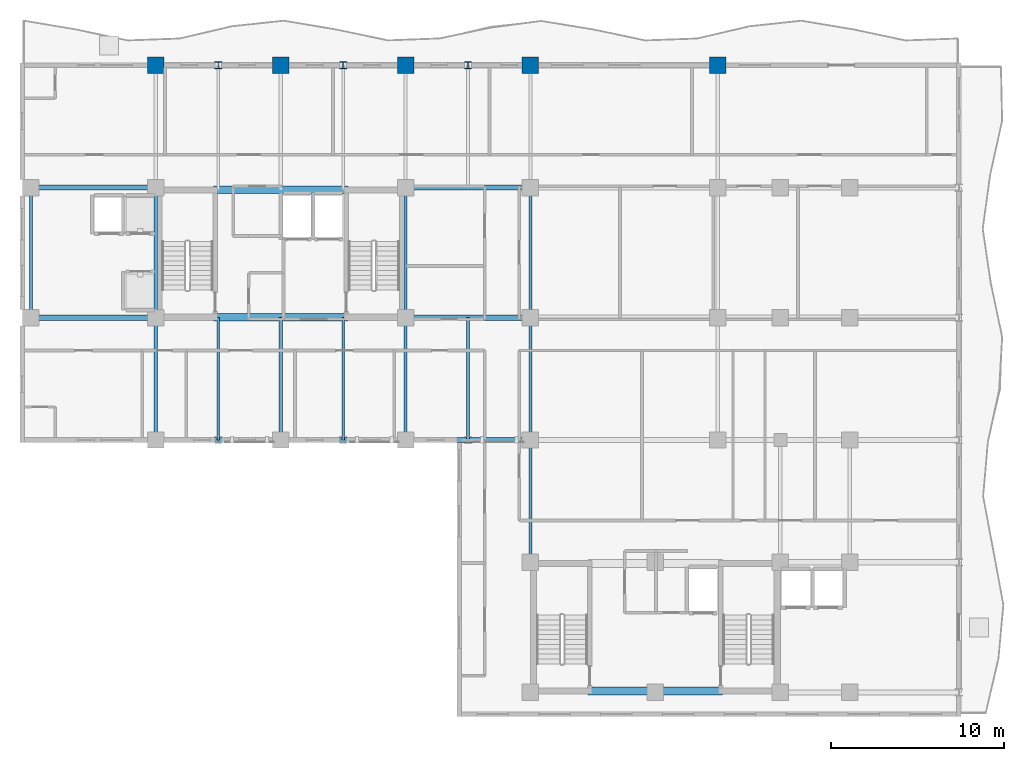
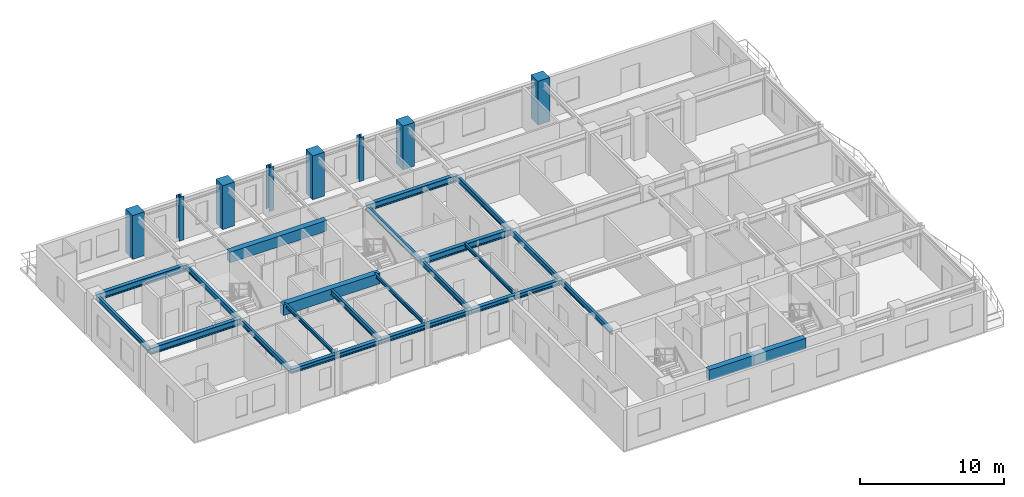
# One storey, part 3 of 14: 25 beams, 8 columns.
"""IFC4 building model written with IfcOpenShell, lengths in metres."""

from ifc_helpers import new_model, si_unit, direction, frame, origin, origin_2d, place, context, subcontext, project, spatial, rectangle, i_section, extrude, source, transform, mapped, material, material_profile, profile_set, type_object, element, save


model = new_model("IFC4")

# Units and contexts
model_context = context("Model", 3, precision=1e-05, world=origin(), true_north=direction((0.0, 1.0)))
body_context = subcontext(model_context, "Body", "Model", "MODEL_VIEW")
ifc_project = project(units=[si_unit("LENGTHUNIT", "METRE"), si_unit("AREAUNIT", "SQUARE_METRE"), si_unit("VOLUMEUNIT", "CUBIC_METRE"), si_unit("PLANEANGLEUNIT", "RADIAN"), si_unit("MASSUNIT", "GRAM", prefix="KILO")], contexts=[model_context])

# Site, building, storey
site_placement = place(None, origin())
site = spatial("IfcSite", under=ifc_project, at=site_placement, CompositionType="ELEMENT")
building_placement = place(site_placement, origin())
building = spatial("IfcBuilding", under=site, at=building_placement, Name="Kaliganga Portal Commons", CompositionType="ELEMENT")
storey_placement = place(building_placement, frame((0.0, 0.0, 220.300048828125)))
storey = spatial("IfcBuildingStorey", under=building, at=storey_placement, Name="L56", CompositionType="ELEMENT", Elevation=220.300048828125)

# Columns
ifc_material_1 = material(Name="Concrete C50/60", Category="concrete")
ifc_material_profile_1 = material_profile(ifc_material_1, rectangle(XDim=0.949951171875, YDim=0.949951171875, at=origin_2d()), Name="RC 950x950")
ifc_profile_set_1 = profile_set([ifc_material_profile_1], Name="Concrete C50/60")
column_type_1 = type_object("IfcColumnType", Name="COL-MEGA-Z4", PredefinedType="COLUMN", material=ifc_profile_set_1)
shared_shape_1 = source(origin(), body_context, "Body", "SweptSolid", [
    extrude(rectangle(XDim=0.949951171875, YDim=0.949951171875, at=origin_2d()), origin(), (0.0, 0.0, 1.0), 3.699951171875),
])
for number, where, z_axis, x_axis, name in (
    (1, (14.39990234375, 43.199951171875, 0.0), (0.0, 0.0, 1.0), (1.0, 0.0, 0.0), "Column MC-05 L56"),
    (2, (21.60009765625, 43.199951171875, 0.0), (0.0, 0.0, 1.0), (1.0, 0.0, 0.0), "Column MC-05 L56"),
    (3, (28.800048828125, 43.199951171875, 0.0), (0.0, 0.0, 1.0), (1.0, 0.0, 0.0), "Column MC-05 L56"),
    (4, (36.0, 43.199951171875, 0.0), (0.0, 0.0, 1.0), (1.0, 0.0, 0.0), "Column MC-05 L56"),
    (5, (46.800048828125, 43.199951171875, 0.0), (0.0, 0.0, 1.0), (1.0, 0.0, 0.0), "Column MC-05 L56"),
):
    element("IfcColumn", number, at=place(storey_placement, frame(where, z_axis=z_axis, x_axis=x_axis)), inside=storey, type_object=column_type_1, Name=name, PredefinedType="COLUMN", context=body_context, shape_type="MappedRepresentation", body=[
        mapped(shared_shape_1, transform((0.0, 0.0, 0.0), x_axis=(1.0, 0.0, 0.0), y_axis=(0.0, 1.0, 0.0), z_axis=(0.0, 0.0, 1.0), scale=1.0)),
    ])
ifc_material_2 = material(Name="Structural steel S355J2", Category="steel")
ifc_material_profile_2 = material_profile(ifc_material_2, i_section(OverallWidth=0.39892578125, OverallDepth=0.39990234375, WebThickness=0.017333984375, FlangeThickness=0.0234375, FilletRadius=0.014892578125, at=origin_2d()), Name="HD 400x287")
ifc_profile_set_2 = profile_set([ifc_material_profile_2], Name="Structural steel S355J2 wide-flange")
column_type_2 = type_object("IfcColumnType", Name="COL-TUBE-B4", PredefinedType="COLUMN", material=ifc_profile_set_2)
shared_shape_2 = source(origin(), body_context, "Body", "SweptSolid", [
    extrude(i_section(OverallWidth=0.39892578125, OverallDepth=0.39990234375, WebThickness=0.017333984375, FlangeThickness=0.0234375, FilletRadius=0.014892578125, at=origin_2d()), origin(), (0.0, 0.0, 1.0), 3.699951171875),
])
for number, where, z_axis, x_axis, name in (
    (6, (18.0, 43.199951171875, 0.0), (0.0, 0.0, 1.0), (1.0, 0.0, 0.0), "Column TC-04 L56"),
    (7, (25.199951171875, 43.199951171875, 0.0), (0.0, 0.0, 1.0), (1.0, 0.0, 0.0), "Column TC-04 L56"),
    (8, (32.39990234375, 43.199951171875, 0.0), (0.0, 0.0, 1.0), (1.0, 0.0, 0.0), "Column TC-04 L56"),
):
    element("IfcColumn", number, at=place(storey_placement, frame(where, z_axis=z_axis, x_axis=x_axis)), inside=storey, type_object=column_type_2, Name=name, PredefinedType="COLUMN", context=body_context, shape_type="MappedRepresentation", body=[
        mapped(shared_shape_2, transform((0.0, 0.0, 0.0), x_axis=(1.0, 0.0, 0.0), y_axis=(0.0, 1.0, 0.0), z_axis=(0.0, 0.0, 1.0), scale=1.0)),
    ])

# Beams
ifc_material_profile_3 = material_profile(ifc_material_1, rectangle(XDim=0.449951171875, YDim=0.89990234375, at=origin_2d()), Name="RC 450x900")
ifc_profile_set_3 = profile_set([ifc_material_profile_3], Name="Concrete C50/60")
beam_type_1 = type_object("IfcBeamType", Name="BM-CPL-900", PredefinedType="LINTEL", material=ifc_profile_set_3)
shared_shape_3 = source(origin(), body_context, "Body", "SweptSolid", [
    extrude(rectangle(XDim=0.449951171875, YDim=0.89990234375, at=origin_2d()), origin(), (0.0, 0.0, 1.0), 7.739990234375),
])
for number, where, z_axis, x_axis, name in (
    (9, (17.72998046875, 28.675048828125, 3.02001953125), (1.0, 0.0, 0.0), (0.0, 1.0, 0.0), "BM CPL COREA L56 S"),
    (10, (17.72998046875, 36.02490234375, 3.02001953125), (1.0, 0.0, 0.0), (0.0, 1.0, 0.0), "BM CPL COREA L56 N"),
    (11, (39.330078125, 7.125, 3.02001953125), (1.0, 0.0, 0.0), (0.0, 1.0, 0.0), "BM CPL COREB L56 S"),
):
    element("IfcBeam", number, at=place(storey_placement, frame(where, z_axis=z_axis, x_axis=x_axis)), inside=storey, type_object=beam_type_1, Name=name, PredefinedType="LINTEL", context=body_context, shape_type="MappedRepresentation", body=[
        mapped(shared_shape_3, transform((0.0, 0.0, 0.0), x_axis=(1.0, 0.0, 0.0), y_axis=(0.0, 1.0, 0.0), z_axis=(0.0, 0.0, 1.0), scale=1.0)),
    ])
ifc_material_profile_4 = material_profile(ifc_material_2, i_section(OverallWidth=0.18994140625, OverallDepth=0.449951171875, WebThickness=0.009521484375, FlangeThickness=0.0146484375, FilletRadius=0.02099609375, at=origin_2d()), Name="IPE 450")
ifc_profile_set_4 = profile_set([ifc_material_profile_4], Name="Structural steel S355J2 wide-flange")
beam_type_2 = type_object("IfcBeamType", Name="BM-FLR-450", PredefinedType="BEAM", material=ifc_profile_set_4)
shared_shape_4 = source(origin(), body_context, "Body", "SweptSolid", [
    extrude(i_section(OverallWidth=0.18994140625, OverallDepth=0.449951171875, WebThickness=0.009521484375, FlangeThickness=0.0146484375, FilletRadius=0.02099609375, at=origin_2d()), origin(), (0.0, 0.0, 1.0), 7.5),
])
for number, where, z_axis, x_axis, name in (
    (12, (7.199951171875, 28.64990234375, 3.244873046875), (0.0, 1.0, 0.0), (-1.0, 0.0, 0.0), "BM G L56 AW72"),
    (13, (14.39990234375, 28.64990234375, 3.244873046875), (0.0, 1.0, 0.0), (-1.0, 0.0, 0.0), "BM G L56 AM144"),
    (14, (28.800048828125, 28.64990234375, 3.244873046875), (0.0, 1.0, 0.0), (-1.0, 0.0, 0.0), "BM G L56 AM288"),
    (15, (36.0, 28.64990234375, 3.244873046875), (0.0, 1.0, 0.0), (-1.0, 0.0, 0.0), "BM G L56 AM360"),
):
    element("IfcBeam", number, at=place(storey_placement, frame(where, z_axis=z_axis, x_axis=x_axis)), inside=storey, type_object=beam_type_2, Name=name, PredefinedType="BEAM", context=body_context, shape_type="MappedRepresentation", body=[
        mapped(shared_shape_4, transform((0.0, 0.0, 0.0), x_axis=(1.0, 0.0, 0.0), y_axis=(0.0, 1.0, 0.0), z_axis=(0.0, 0.0, 1.0), scale=1.0)),
    ])
shared_shape_5 = source(origin(), body_context, "Body", "SweptSolid", [
    extrude(i_section(OverallWidth=0.18994140625, OverallDepth=0.449951171875, WebThickness=0.009521484375, FlangeThickness=0.0146484375, FilletRadius=0.02099609375, at=origin_2d()), origin(), (0.0, 0.0, 1.0), 7.050048828125),
])
beam_1_placement = place(storey_placement, frame((36.0, 14.550048828125, 3.244873046875), z_axis=(0.0, 1.0, 0.0), x_axis=(-1.0, 0.0, 0.0)))
element("IfcBeam", 16, at=beam_1_placement, inside=storey, type_object=beam_type_2, Name="BM G L56 BNK360", PredefinedType="BEAM", context=body_context, shape_type="MappedRepresentation", body=[
    mapped(shared_shape_5, transform((0.0, 0.0, 0.0), x_axis=(1.0, 0.0, 0.0), y_axis=(0.0, 1.0, 0.0), z_axis=(0.0, 0.0, 1.0), scale=1.0)),
])
shared_shape_6 = source(origin(), body_context, "Body", "SweptSolid", [
    extrude(i_section(OverallWidth=0.18994140625, OverallDepth=0.449951171875, WebThickness=0.009521484375, FlangeThickness=0.0146484375, FilletRadius=0.02099609375, at=origin_2d()), origin(), (0.0, 0.0, 1.0), 7.0498046875),
])
for number, where, z_axis, x_axis, name in (
    (17, (14.39990234375, 21.60009765625, 3.244873046875), (0.0, 1.0, 0.0), (-1.0, 0.0, 0.0), "BM G L56 AS144"),
    (18, (28.800048828125, 21.60009765625, 3.244873046875), (0.0, 1.0, 0.0), (-1.0, 0.0, 0.0), "BM G L56 AS288"),
    (19, (36.0, 21.60009765625, 3.244873046875), (0.0, 1.0, 0.0), (-1.0, 0.0, 0.0), "BM G L56 AS360"),
):
    element("IfcBeam", number, at=place(storey_placement, frame(where, z_axis=z_axis, x_axis=x_axis)), inside=storey, type_object=beam_type_2, Name=name, PredefinedType="BEAM", context=body_context, shape_type="MappedRepresentation", body=[
        mapped(shared_shape_6, transform((0.0, 0.0, 0.0), x_axis=(1.0, 0.0, 0.0), y_axis=(0.0, 1.0, 0.0), z_axis=(0.0, 0.0, 1.0), scale=1.0)),
    ])
ifc_material_profile_5 = material_profile(ifc_material_2, i_section(OverallWidth=0.14990234375, OverallDepth=0.300048828125, WebThickness=0.007080078125, FlangeThickness=0.0107421875, FilletRadius=0.014892578125, at=origin_2d()), Name="IPE 300")
ifc_profile_set_5 = profile_set([ifc_material_profile_5], Name="Structural steel S355J2 wide-flange")
beam_type_3 = type_object("IfcBeamType", Name="BM-JST-300", PredefinedType="JOIST", material=ifc_profile_set_5)
shared_shape_7 = source(origin(), body_context, "Body", "SweptSolid", [
    extrude(i_section(OverallWidth=0.14990234375, OverallDepth=0.300048828125, WebThickness=0.007080078125, FlangeThickness=0.0107421875, FilletRadius=0.014892578125, at=origin_2d()), origin(), (0.0, 0.0, 1.0), 7.0498046875),
])
beam_2_placement = place(storey_placement, frame((32.39990234375, 21.60009765625, 3.320068359375), z_axis=(0.0, 1.0, 0.0), x_axis=(-1.0, 0.0, 0.0)))
element("IfcBeam", 20, at=beam_2_placement, inside=storey, type_object=beam_type_3, Name="BM G L56 AS324", PredefinedType="JOIST", context=body_context, shape_type="MappedRepresentation", body=[
    mapped(shared_shape_7, transform((0.0, 0.0, 0.0), x_axis=(1.0, 0.0, 0.0), y_axis=(0.0, 1.0, 0.0), z_axis=(0.0, 0.0, 1.0), scale=1.0)),
])
ifc_material_profile_6 = material_profile(ifc_material_2, i_section(OverallWidth=0.300048828125, OverallDepth=0.39990234375, WebThickness=0.013427734375, FlangeThickness=0.02392578125, FilletRadius=0.027099609375, at=origin_2d()), Name="HE 400 B")
ifc_profile_set_6 = profile_set([ifc_material_profile_6], Name="Structural steel S355J2 wide-flange")
beam_type_4 = type_object("IfcBeamType", Name="BM-SPAND-400", PredefinedType="SPANDREL", material=ifc_profile_set_6)
shared_shape_8 = source(origin(), body_context, "Body", "SweptSolid", [
    extrude(i_section(OverallWidth=0.300048828125, OverallDepth=0.39990234375, WebThickness=0.013427734375, FlangeThickness=0.02392578125, FilletRadius=0.027099609375, at=origin_2d()), origin(), (0.0, 0.0, 1.0), 3.60009765625),
])
for number, where, z_axis, x_axis, name in (
    (21, (14.39990234375, 21.60009765625, 3.27001953125), (1.0, 0.0, 0.0), (0.0, 1.0, 0.0), "BM SP L56 AS 1"),
    (22, (18.0, 21.60009765625, 3.27001953125), (1.0, 0.0, 0.0), (0.0, 1.0, 0.0), "BM SP L56 AS 2"),
    (23, (25.199951171875, 21.60009765625, 3.27001953125), (1.0, 0.0, 0.0), (0.0, 1.0, 0.0), "BM SP L56 AS 4"),
    (24, (32.39990234375, 21.60009765625, 3.27001953125), (1.0, 0.0, 0.0), (0.0, 1.0, 0.0), "BM SP L56 AS 6"),
):
    element("IfcBeam", number, at=place(storey_placement, frame(where, z_axis=z_axis, x_axis=x_axis)), inside=storey, type_object=beam_type_4, Name=name, PredefinedType="SPANDREL", context=body_context, shape_type="MappedRepresentation", body=[
        mapped(shared_shape_8, transform((0.0, 0.0, 0.0), x_axis=(1.0, 0.0, 0.0), y_axis=(0.0, 1.0, 0.0), z_axis=(0.0, 0.0, 1.0), scale=1.0)),
    ])
shared_shape_9 = source(origin(), body_context, "Body", "SweptSolid", [
    extrude(i_section(OverallWidth=0.300048828125, OverallDepth=0.39990234375, WebThickness=0.013427734375, FlangeThickness=0.02392578125, FilletRadius=0.027099609375, at=origin_2d()), origin(), (0.0, 0.0, 1.0), 3.599853515625),
])
for number, where, z_axis, x_axis, name in (
    (25, (21.60009765625, 21.60009765625, 3.27001953125), (1.0, 0.0, 0.0), (0.0, 1.0, 0.0), "BM SP L56 AS 3"),
    (26, (28.800048828125, 21.60009765625, 3.27001953125), (1.0, 0.0, 0.0), (0.0, 1.0, 0.0), "BM SP L56 AS 5"),
):
    element("IfcBeam", number, at=place(storey_placement, frame(where, z_axis=z_axis, x_axis=x_axis)), inside=storey, type_object=beam_type_4, Name=name, PredefinedType="SPANDREL", context=body_context, shape_type="MappedRepresentation", body=[
        mapped(shared_shape_9, transform((0.0, 0.0, 0.0), x_axis=(1.0, 0.0, 0.0), y_axis=(0.0, 1.0, 0.0), z_axis=(0.0, 0.0, 1.0), scale=1.0)),
    ])
ifc_material_profile_7 = material_profile(ifc_material_2, i_section(OverallWidth=0.300048828125, OverallDepth=0.550048828125, WebThickness=0.014892578125, FlangeThickness=0.029052734375, FilletRadius=0.027099609375, at=origin_2d()), Name="HE 550 B")
ifc_profile_set_7 = profile_set([ifc_material_profile_7], Name="Structural steel S355J2 wide-flange")
beam_type_5 = type_object("IfcBeamType", Name="BM-GIRD-550", PredefinedType="USERDEFINED", material=ifc_profile_set_7)
shared_shape_10 = source(origin(), body_context, "Body", "SweptSolid", [
    extrude(i_section(OverallWidth=0.300048828125, OverallDepth=0.550048828125, WebThickness=0.014892578125, FlangeThickness=0.029052734375, FilletRadius=0.027099609375, at=origin_2d()), origin(), (0.0, 0.0, 1.0), 7.199951171875),
])
for number, where, z_axis, x_axis, name in (
    (27, (7.199951171875, 28.64990234375, 3.195068359375), (1.0, 0.0, 0.0), (0.0, 1.0, 0.0), "BM G L56 WAH_S 1"),
    (28, (7.199951171875, 36.14990234375, 3.195068359375), (1.0, 0.0, 0.0), (0.0, 1.0, 0.0), "BM G L56 WAH_N 1"),
    (29, (28.800048828125, 28.64990234375, 3.195068359375), (1.0, 0.0, 0.0), (0.0, 1.0, 0.0), "BM G L56 WAE_S 1"),
    (30, (28.800048828125, 36.14990234375, 3.195068359375), (1.0, 0.0, 0.0), (0.0, 1.0, 0.0), "BM G L56 WAE_N 1"),
):
    element("IfcBeam", number, at=place(storey_placement, frame(where, z_axis=z_axis, x_axis=x_axis)), inside=storey, type_object=beam_type_5, Name=name, ObjectType="GIRDER", PredefinedType="USERDEFINED", context=body_context, shape_type="MappedRepresentation", body=[
        mapped(shared_shape_10, transform((0.0, 0.0, 0.0), x_axis=(1.0, 0.0, 0.0), y_axis=(0.0, 1.0, 0.0), z_axis=(0.0, 0.0, 1.0), scale=1.0)),
    ])
shared_shape_11 = source(origin(), body_context, "Body", "SweptSolid", [
    extrude(i_section(OverallWidth=0.14990234375, OverallDepth=0.300048828125, WebThickness=0.007080078125, FlangeThickness=0.0107421875, FilletRadius=0.014892578125, at=origin_2d()), origin(), (0.0, 0.0, 1.0), 7.074951171875),
])
for number, where, z_axis, x_axis, name in (
    (31, (18.0, 21.60009765625, 3.320068359375), (0.0, 1.0, 0.0), (-1.0, 0.0, 0.0), "BM G L56 AS180"),
    (32, (25.199951171875, 21.60009765625, 3.320068359375), (0.0, 1.0, 0.0), (-1.0, 0.0, 0.0), "BM G L56 AS252"),
):
    element("IfcBeam", number, at=place(storey_placement, frame(where, z_axis=z_axis, x_axis=x_axis)), inside=storey, type_object=beam_type_3, Name=name, PredefinedType="JOIST", context=body_context, shape_type="MappedRepresentation", body=[
        mapped(shared_shape_11, transform((0.0, 0.0, 0.0), x_axis=(1.0, 0.0, 0.0), y_axis=(0.0, 1.0, 0.0), z_axis=(0.0, 0.0, 1.0), scale=1.0)),
    ])
shared_shape_12 = source(origin(), body_context, "Body", "SweptSolid", [
    extrude(i_section(OverallWidth=0.18994140625, OverallDepth=0.449951171875, WebThickness=0.009521484375, FlangeThickness=0.0146484375, FilletRadius=0.02099609375, at=origin_2d()), origin(), (0.0, 0.0, 1.0), 7.074951171875),
])
beam_3_placement = place(storey_placement, frame((21.60009765625, 21.60009765625, 3.244873046875), z_axis=(0.0, 1.0, 0.0), x_axis=(-1.0, 0.0, 0.0)))
element("IfcBeam", 33, at=beam_3_placement, inside=storey, type_object=beam_type_2, Name="BM G L56 AS216", PredefinedType="BEAM", context=body_context, shape_type="MappedRepresentation", body=[
    mapped(shared_shape_12, transform((0.0, 0.0, 0.0), x_axis=(1.0, 0.0, 0.0), y_axis=(0.0, 1.0, 0.0), z_axis=(0.0, 0.0, 1.0), scale=1.0)),
])

save(model, "model.ifc")
